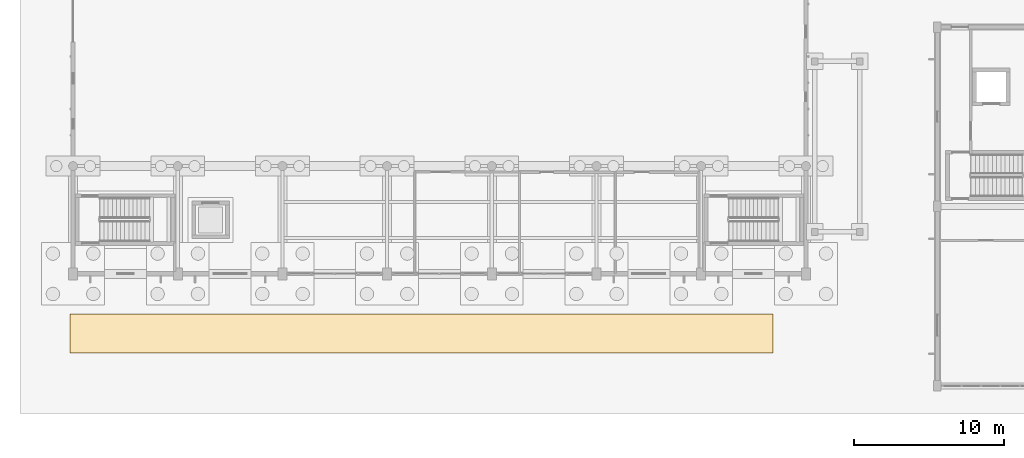
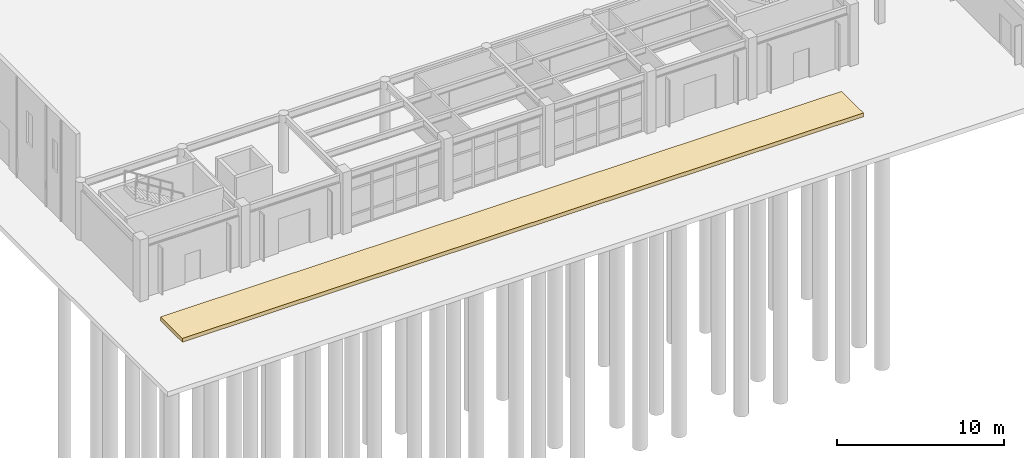
# One storey, part 134 of 154: 1 covering.
"""IFC4 building model written with IfcOpenShell, lengths in metres."""

import ifcopenshell
import ifcopenshell.guid

model = None  # the IFC model being written
_history = None  # IfcOwnerHistory: only IFC2X3 demands one
_inside = {}  # id of a spatial element -> (the spatial element, [elements in it])
_under = {}  # id of a project, library or spatial element -> (it, [spatial elements below it])
_declared = {}  # id of a project -> (the project, [libraries it declares])
_typed = {}  # id of a type object -> (the type object, [elements of that type])
_made_of = {}  # id of a material, layer set ... -> (it, [elements and type objects made of it])


def new_model(schema):
    """Start an empty IFC model of exactly this schema.

    Asked for "IFC4X3", IfcOpenShell would pick the latest addendum, in which some entities
    have other attributes; the version numbers below select the first issue.
    IFC2X3 requires an IfcOwnerHistory on every rooted entity: one is made here for all.
    """
    global model, _history
    if schema == "IFC4X3":
        model = ifcopenshell.file(schema_version=(4, 3, 0, 0))
    else:
        model = ifcopenshell.file(schema=schema)
    _inside.clear()
    _under.clear()
    _declared.clear()
    _typed.clear()
    _made_of.clear()
    _history = None
    if model.schema == "IFC2X3":
        org = make("IfcOrganization", Name="unknown")
        user = make(
            "IfcPersonAndOrganization",
            ThePerson=make("IfcPerson", FamilyName="unknown"),
            TheOrganization=org,
        )
        app = make(
            "IfcApplication",
            ApplicationDeveloper=org,
            Version="unknown",
            ApplicationFullName="unknown",
            ApplicationIdentifier="unknown",
        )
        _history = make(
            "IfcOwnerHistory",
            OwningUser=user,
            OwningApplication=app,
            ChangeAction="ADDED",
            CreationDate=0,
        )
    return model


def make(cls, **values):
    """One entity of the class cls with the attributes given. An attribute that is None is left unset."""
    return model.create_entity(
        cls, **{name: value for name, value in values.items() if value is not None}
    )


def rooted(cls, **values):
    """An entity with a GlobalId (a new one), such as an element, a storey or a relation."""
    return make(cls, GlobalId=ifcopenshell.guid.new(), OwnerHistory=_history, **values)


def si_unit(unit_type, name, prefix=None):
    """IfcSIUnit, for example si_unit("LENGTHUNIT", "METRE", prefix="MILLI")."""
    return make("IfcSIUnit", UnitType=unit_type, Prefix=prefix, Name=name)


def assignment(units):
    """IfcUnitAssignment: the units of a project."""
    return None if units is None else make("IfcUnitAssignment", Units=units)


def point(xyz):
    """IfcCartesianPoint."""
    return None if xyz is None else make("IfcCartesianPoint", Coordinates=xyz)


def direction(xyz):
    """IfcDirection."""
    return None if xyz is None else make("IfcDirection", DirectionRatios=xyz)


def frame(location, z_axis=None, x_axis=None):
    """IfcAxis2Placement3D, a coordinate frame: its origin and axes. An axis left out is left unset."""
    return make(
        "IfcAxis2Placement3D",
        Location=point(location),
        Axis=direction(z_axis),
        RefDirection=direction(x_axis),
    )


def origin():
    """The frame at (0, 0, 0) with its axes left unset."""
    return frame((0.0, 0.0, 0.0))


def place(relative_to, where):
    """IfcLocalPlacement: puts the frame where relative to a parent placement (None: the world)."""
    return make(
        "IfcLocalPlacement", PlacementRelTo=relative_to, RelativePlacement=where
    )


def context(
    kind, dimensions, precision=None, world=None, true_north=None, identifier=None
):
    """IfcGeometricRepresentationContext, for example the 3D "Model" context."""
    return make(
        "IfcGeometricRepresentationContext",
        ContextIdentifier=identifier,
        ContextType=kind,
        CoordinateSpaceDimension=dimensions,
        Precision=precision,
        WorldCoordinateSystem=world,
        TrueNorth=true_north,
    )


def subcontext(parent, identifier, kind, view, scale=None):
    """IfcGeometricRepresentationSubContext, for example "Body" below "Model"."""
    return make(
        "IfcGeometricRepresentationSubContext",
        ContextIdentifier=identifier,
        ContextType=kind,
        ParentContext=parent,
        TargetScale=scale,
        TargetView=view,
    )


def project(units=None, contexts=None):
    """IfcProject with its units and contexts."""
    return rooted(
        "IfcProject",
        Name="project",
        RepresentationContexts=contexts,
        UnitsInContext=assignment(units),
    )


def spatial(cls, under=None, at=None, **own):
    """A site, building, storey or space (cls), placed at a placement, below another one or the project."""
    s = rooted(cls, ObjectPlacement=at, **own)
    if under is not None:
        _under.setdefault(under.id(), (under, []))[1].append(s)
    return s


def polyline(points):
    """IfcPolyline through the points."""
    return make("IfcPolyline", Points=[point(p) for p in points])


def outline(outer, holes=None, kind="AREA"):
    """IfcArbitraryClosedProfileDef: a profile drawn as a closed curve; with holes, ...WithVoids."""
    if holes is None:
        return make("IfcArbitraryClosedProfileDef", ProfileType=kind, OuterCurve=outer)
    return make(
        "IfcArbitraryProfileDefWithVoids",
        ProfileType=kind,
        OuterCurve=outer,
        InnerCurves=holes,
    )


def extrude(swept, where, along, depth):
    """IfcExtrudedAreaSolid: the profile swept, set in the frame where, extruded along a direction by depth."""
    return make(
        "IfcExtrudedAreaSolid",
        SweptArea=swept,
        Position=where,
        ExtrudedDirection=direction(along),
        Depth=depth,
    )


def shape(context_of_items, identifier, shape_type, items):
    """IfcShapeRepresentation: the items that make up one representation, for example the "Body"."""
    return make(
        "IfcShapeRepresentation",
        ContextOfItems=context_of_items,
        RepresentationIdentifier=identifier,
        RepresentationType=shape_type,
        Items=items,
    )


def material(Name=None, Category=None):
    """IfcMaterial."""
    return make("IfcMaterial", Name=Name, Category=Category)


def layer(
    of_material, thickness, ventilated=None, Name=None, Category=None, Priority=None
):
    """IfcMaterialLayer: one layer of a wall or slab, of a material (None: an air gap)."""
    return make(
        "IfcMaterialLayer",
        Material=of_material,
        LayerThickness=thickness,
        IsVentilated=ventilated,
        Name=Name,
        Category=Category,
        Priority=Priority,
    )


def layer_set(layers, Name=None):
    """IfcMaterialLayerSet."""
    return make("IfcMaterialLayerSet", MaterialLayers=layers, LayerSetName=Name)


def made_of(thing, what):
    """Note that an element or type object is made of a material, layer set ...; save() writes the relation."""
    if what is not None:
        _made_of.setdefault(what.id(), (what, []))[1].append(thing)
    return thing


def type_object(cls, material=None, **own):
    """A type object (cls), such as IfcWallType, which elements share."""
    return made_of(rooted(cls, **own), material)


def element(
    cls,
    number,
    at=None,
    inside=None,
    cuts=None,
    type_object=None,
    material=None,
    context=None,
    identifier="Body",
    shape_type=None,
    held_by="IfcProductDefinitionShape",
    body=None,
    shapes=None,
    **own,
):
    """One element of the class cls, such as IfcWall. Its Tag is "e" and its number.

    at: its placement. inside: the storey or other place that contains it. cuts: it is an
    opening in that element (IfcRelVoidsElement). A single representation is given by context,
    identifier, shape_type and body (its items); several are given by shapes. held_by: the class
    of the entity that holds the representations. save() writes the other relations.
    """
    e = rooted(cls, Tag="e%d" % number, ObjectPlacement=at, **own)
    if body is not None:
        shapes = [shape(context, identifier, shape_type, body)]
    if shapes is not None:
        e.Representation = make(held_by, Representations=shapes)
    if inside is not None:
        _inside.setdefault(inside.id(), (inside, []))[1].append(e)
    if cuts is not None:
        rooted(
            "IfcRelVoidsElement", RelatingBuildingElement=cuts, RelatedOpeningElement=e
        )
    if type_object is not None:
        _typed.setdefault(type_object.id(), (type_object, []))[1].append(e)
    return made_of(e, material)


def aggregate(whole, parts):
    """IfcRelAggregates: a whole, such as a stair, and the parts it consists of."""
    return rooted("IfcRelAggregates", RelatingObject=whole, RelatedObjects=parts)


def save(model, path):
    """Write the relations noted so far, then the file.

    IfcRelAggregates (storeys below a building ...), IfcRelContainedInSpatialStructure (elements
    in a storey), IfcRelDefinesByType, IfcRelAssociatesMaterial and IfcRelDeclares: one each for
    every whole, place, type object, material and project.
    """
    for whole, parts in _under.values():
        aggregate(whole, parts)
    for where, things in _inside.values():
        rooted(
            "IfcRelContainedInSpatialStructure",
            RelatedElements=things,
            RelatingStructure=where,
        )
    for kind, things in _typed.values():
        rooted("IfcRelDefinesByType", RelatedObjects=things, RelatingType=kind)
    for what, things in _made_of.values():
        rooted("IfcRelAssociatesMaterial", RelatedObjects=things, RelatingMaterial=what)
    for by, libraries in _declared.values():
        rooted("IfcRelDeclares", RelatingContext=by, RelatedDefinitions=libraries)
    model.write(path)


model = new_model("IFC4")

# Units and contexts
model_context = context("Model", 3, precision=1e-05, world=origin(), true_north=direction((0.0, 1.0)))
body_context = subcontext(model_context, "Body", "Model", "MODEL_VIEW")
ifc_project = project(units=[si_unit("LENGTHUNIT", "METRE"), si_unit("AREAUNIT", "SQUARE_METRE"), si_unit("VOLUMEUNIT", "CUBIC_METRE"), si_unit("PLANEANGLEUNIT", "RADIAN"), si_unit("MASSUNIT", "GRAM", prefix="KILO")], contexts=[model_context])

# Site, building, storey
site_placement = place(None, origin())
site = spatial("IfcSite", under=ifc_project, at=site_placement, CompositionType="ELEMENT")
building_placement = place(site_placement, origin())
building = spatial("IfcBuilding", under=site, at=building_placement, Name="Kestramere Prow Commons", CompositionType="ELEMENT")
storey_placement = place(building_placement, origin())
storey = spatial("IfcBuildingStorey", under=building, at=storey_placement, Name="L00", CompositionType="ELEMENT", Elevation=0.0)

# Covering
ifc_material = material(Name="Planted Tropical Rain-Garden Soil and Foliage")
ifc_layer = layer(ifc_material, 0.280029296875)
ifc_layer_set = layer_set([ifc_layer], Name="Planted Tropical Rain-Garden Soil and Foliage")
covering_type = type_object("IfcCoveringType", Name="COV-PLANT-STRIP", PredefinedType="USERDEFINED", material=ifc_layer_set)
covering_placement = place(storey_placement, origin())
element("IfcCovering", 1, at=covering_placement, inside=storey, type_object=covering_type, Name="Street Setback Planted Landscape Strip PLST-ST-SW", ObjectType="PLANTED STRIP", PredefinedType="USERDEFINED", context=body_context, shape_type="SweptSolid", body=[
    extrude(outline(polyline([(2.0, 2.199951171875), (2.0, 4.800048828125), (49.0, 4.800048828125), (49.0, 2.199951171875), (2.0, 2.199951171875)])), origin(), (0.0, 0.0, 1.0), 0.280029296875),
])

save(model, "model.ifc")
